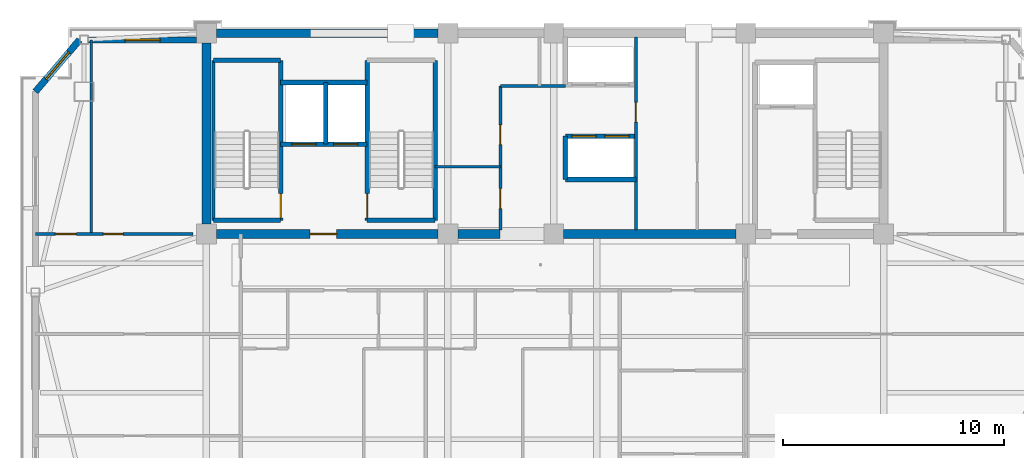
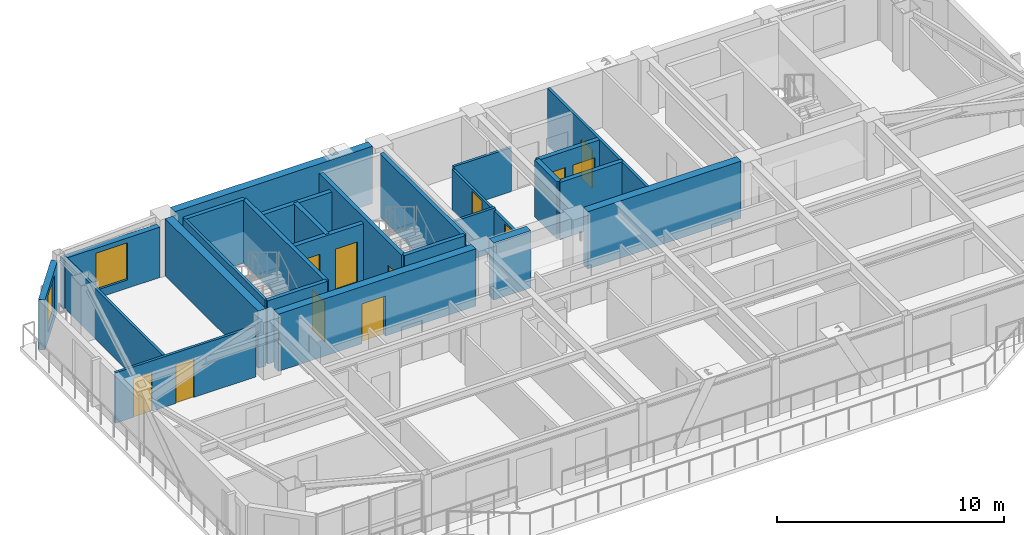
# One storey, part 7 of 13: 26 walls, 12 doors, 2 windows, 14 openings.
"""IFC4 building model written with IfcOpenShell, lengths in metres."""

from ifc_helpers import new_model, si_unit, direction, frame, frame_2d, origin, place, context, subcontext, project, spatial, rectangle, extrude, source, transform, mapped, material, layer, layer_set, type_object, element, fill, save


model = new_model("IFC4")

# Units and contexts
model_context = context("Model", 3, precision=1e-05, world=origin(), true_north=direction((0.0, 1.0)))
body_context = subcontext(model_context, "Body", "Model", "MODEL_VIEW")
ifc_project = project(units=[si_unit("LENGTHUNIT", "METRE"), si_unit("AREAUNIT", "SQUARE_METRE"), si_unit("VOLUMEUNIT", "CUBIC_METRE"), si_unit("PLANEANGLEUNIT", "RADIAN"), si_unit("MASSUNIT", "GRAM", prefix="KILO")], contexts=[model_context])

# Site, building, storey
site_placement = place(None, origin())
site = spatial("IfcSite", under=ifc_project, at=site_placement, CompositionType="ELEMENT")
building_placement = place(site_placement, origin())
building = spatial("IfcBuilding", under=site, at=building_placement, Name="Giltprow Tower", CompositionType="ELEMENT")
storey_placement = place(building_placement, frame((0.0, 0.0, 349.300048828125)))
storey = spatial("IfcBuildingStorey", under=building, at=storey_placement, Name="L91", CompositionType="ELEMENT", Elevation=349.300048828125)

# Wall, opening, window
ifc_material_1 = material(Name="Precast concrete C40", Category="concrete")
ifc_layer_1 = layer(ifc_material_1, 0.300048828125, Name="Precast concrete C40")
ifc_layer_set_1 = layer_set([ifc_layer_1], Name="Precast concrete C40")
wall_type_1 = type_object("IfcWallType", Name="EW-NOTCH-CHAMFER-300", PredefinedType="SOLIDWALL", material=ifc_layer_set_1)
wall_1_placement = place(storey_placement, frame((14.10009765625, 46.25, 0.0), z_axis=(0.0, 0.0, 1.0), x_axis=(-0.648103010114, -0.761552682538, 0.0)))
wall_1 = element("IfcWall", 1, at=wall_1_placement, inside=storey, type_object=wall_type_1, Name="L91 Corner Notch Wall NW", PredefinedType="SOLIDWALL", context=body_context, shape_type="SweptSolid", body=[
    extrude(rectangle(XDim=3.0859375, YDim=0.300048828125, at=frame_2d((1.54296875, 0.0))), origin(), (0.0, 0.0, 1.0), 2.7099609375),
])
opening_1_placement = place(wall_1_placement, frame((0.742919921875, 0.0, 0.449951171875)))
opening_1 = element("IfcOpeningElement", 2, at=opening_1_placement, cuts=wall_1, Name="Opening WN17", PredefinedType="OPENING", context=body_context, shape_type="SweptSolid", body=[
    extrude(rectangle(XDim=1.60009765625, YDim=2.0, at=frame_2d((0.800048828125, 1.0))), frame((0.0, 0.159912109375, 0.0), z_axis=(0.0, -1.0, 0.0), x_axis=(1.0, 0.0, 0.0)), (0.0, 0.0, 1.0), 0.320068359375),
])
ifc_material_2 = material(Name="Insulated glass", Category="glass")
window_type = type_object("IfcWindowType", Name="WN-COR-1600x2000", PartitioningType="SINGLE_PANEL", PredefinedType="WINDOW", material=ifc_material_2)
shared_shape_1 = source(origin(), body_context, "Body", "SweptSolid", [
    extrude(rectangle(XDim=1.60009765625, YDim=2.0, at=frame_2d((0.800048828125, 1.0))), frame((0.0, 0.030029296875, 0.0), z_axis=(0.0, -1.0, 0.0), x_axis=(1.0, 0.0, 0.0)), (0.0, 0.0, 1.0), 0.06005859375),
])
window_1_placement = place(opening_1_placement, origin())
window_1 = element("IfcWindow", 3, at=window_1_placement, inside=storey, type_object=window_type, Name="L91 Corner Notch Window NW", OverallHeight=2.0, OverallWidth=1.60009765625, PartitioningType="SINGLE_PANEL", PredefinedType="WINDOW", context=body_context, shape_type="MappedRepresentation", body=[
    mapped(shared_shape_1, transform((0.0, 0.0, 0.0), x_axis=(1.0, 0.0, 0.0), y_axis=(0.0, 1.0, 0.0), z_axis=(0.0, 0.0, 1.0), scale=1.0)),
])
fill(opening_1, window_1)

ifc_layer_2 = layer(ifc_material_1, 0.280029296875, Name="Precast concrete C40")
ifc_layer_set_2 = layer_set([ifc_layer_2], Name="Precast concrete C40")
wall_type_2 = type_object("IfcWallType", Name="EW-TOW-BRONZE-280", PredefinedType="SOLIDWALL", material=ifc_layer_set_2)
wall_2_placement = place(storey_placement, frame((14.5, 46.25, 0.0), z_axis=(0.0, 0.0, 1.0), x_axis=(1.0, 0.0, 0.0)))
wall_2 = element("IfcWall", 4, at=wall_2_placement, inside=storey, type_object=wall_type_2, Name="L91 North-West Wing Wall", PredefinedType="SOLIDWALL", context=body_context, shape_type="SweptSolid", body=[
    extrude(rectangle(XDim=4.89990234375, YDim=0.280029296875, at=frame_2d((2.449951171875, 0.0))), origin(), (0.0, 0.0, 1.0), 2.7099609375),
])
opening_2_placement = place(wall_2_placement, frame((1.64990234375, 0.0, 0.449951171875)))
opening_2 = element("IfcOpeningElement", 5, at=opening_2_placement, cuts=wall_2, Name="Opening WN17", PredefinedType="OPENING", context=body_context, shape_type="SweptSolid", body=[
    extrude(rectangle(XDim=1.60009765625, YDim=2.0, at=frame_2d((0.800048828125, 1.0))), frame((0.0, 0.14990234375, 0.0), z_axis=(0.0, -1.0, 0.0), x_axis=(1.0, 0.0, 0.0)), (0.0, 0.0, 1.0), 0.300048828125),
])
window_2_placement = place(opening_2_placement, origin())
window_2 = element("IfcWindow", 6, at=window_2_placement, inside=storey, type_object=window_type, Name="L91 North-West Window", OverallHeight=2.0, OverallWidth=1.60009765625, PartitioningType="SINGLE_PANEL", PredefinedType="WINDOW", context=body_context, shape_type="MappedRepresentation", body=[
    mapped(shared_shape_1, transform((0.0, 0.0, 0.0), x_axis=(1.0, 0.0, 0.0), y_axis=(0.0, 1.0, 0.0), z_axis=(0.0, 0.0, 1.0), scale=1.0)),
])
fill(opening_2, window_2)

# Wall, openings, doors
ifc_material_3 = material(Name="Concrete C40", Category="concrete")
ifc_layer_3 = layer(ifc_material_3, 0.219970703125, Name="Concrete C40")
ifc_layer_set_3 = layer_set([ifc_layer_3], Name="Concrete C40")
wall_type_3 = type_object("IfcWallType", Name="IW-SHAFT-220", PredefinedType="SOLIDWALL", material=ifc_layer_set_3)
wall_3_placement = place(storey_placement, frame((23.219970703125, 41.52001953125, 0.0), z_axis=(0.0, 0.0, 1.0), x_axis=(1.0, 0.0, 0.0)))
wall_3 = element("IfcWall", 7, at=wall_3_placement, inside=storey, type_object=wall_type_3, Name="L91 FFL1 and Service Lift Front Wall", PredefinedType="SOLIDWALL", context=body_context, shape_type="SweptSolid", body=[
    extrude(rectangle(XDim=3.919921875, YDim=0.219970703125, at=frame_2d((1.9599609375, 0.0))), origin(), (0.0, 0.0, 1.0), 3.079833984375),
])
opening_3_placement = place(wall_3_placement, frame((0.5, 0.0, 0.0)))
opening_3 = element("IfcOpeningElement", 8, at=opening_3_placement, cuts=wall_3, Name="Opening LD-11", PredefinedType="OPENING", context=body_context, shape_type="SweptSolid", body=[
    extrude(rectangle(XDim=1.10009765625, YDim=2.199951171875, at=frame_2d((0.550048828125, 1.10009765625))), frame((0.0, 0.119873046875, 0.0), z_axis=(0.0, -1.0, 0.0), x_axis=(1.0, 0.0, 0.0)), (0.0, 0.0, 1.0), 0.239990234375),
])
opening_4_placement = place(wall_3_placement, frame((2.39990234375, 0.0, 0.0)))
opening_4 = element("IfcOpeningElement", 9, at=opening_4_placement, cuts=wall_3, Name="Opening LD-11", PredefinedType="OPENING", context=body_context, shape_type="SweptSolid", body=[
    extrude(rectangle(XDim=1.10009765625, YDim=2.199951171875, at=frame_2d((0.550048828125, 1.10009765625))), frame((0.0, 0.119873046875, 0.0), z_axis=(0.0, -1.0, 0.0), x_axis=(1.0, 0.0, 0.0)), (0.0, 0.0, 1.0), 0.239990234375),
])
ifc_material_4 = material(Name="Stainless steel", Category="steel")
door_type_1 = type_object("IfcDoorType", Name="DR-LIFT-LD1100", OperationType="SLIDING_TO_LEFT", PredefinedType="DOOR", material=ifc_material_4)
shared_shape_2 = source(origin(), body_context, "Body", "SweptSolid", [
    extrude(rectangle(XDim=1.10009765625, YDim=2.199951171875, at=frame_2d((0.550048828125, 1.10009765625))), frame((0.0, 0.02490234375, 0.0), z_axis=(0.0, -1.0, 0.0), x_axis=(1.0, 0.0, 0.0)), (0.0, 0.0, 1.0), 0.050048828125),
])
door_1_placement = place(opening_3_placement, origin())
door_1 = element("IfcDoor", 10, at=door_1_placement, inside=storey, type_object=door_type_1, Name="L91 FFL1 Landing Door", OperationType="SLIDING_TO_LEFT", OverallHeight=2.199951171875, OverallWidth=1.10009765625, PredefinedType="DOOR", context=body_context, shape_type="MappedRepresentation", body=[
    mapped(shared_shape_2, transform((0.0, 0.0, 0.0), x_axis=(1.0, 0.0, 0.0), y_axis=(0.0, 1.0, 0.0), z_axis=(0.0, 0.0, 1.0), scale=1.0)),
])
fill(opening_3, door_1)
door_2_placement = place(opening_4_placement, origin())
door_2 = element("IfcDoor", 11, at=door_2_placement, inside=storey, type_object=door_type_1, Name="L91 SVL1 Landing Door", OperationType="SLIDING_TO_LEFT", OverallHeight=2.199951171875, OverallWidth=1.10009765625, PredefinedType="DOOR", context=body_context, shape_type="MappedRepresentation", body=[
    mapped(shared_shape_2, transform((0.0, 0.0, 0.0), x_axis=(1.0, 0.0, 0.0), y_axis=(0.0, 1.0, 0.0), z_axis=(0.0, 0.0, 1.0), scale=1.0)),
])
fill(opening_4, door_2)

# Walls
wall_4_placement = place(storey_placement, frame((25.260009765625, 41.52001953125, 0.0), z_axis=(0.0, 0.0, 1.0), x_axis=(0.0, 1.0, 0.0)))
element("IfcWall", 12, at=wall_4_placement, inside=storey, type_object=wall_type_3, Name="L91 FFL1-SVL1 Shaft Divider", PredefinedType="SOLIDWALL", context=body_context, shape_type="SweptSolid", body=[
    extrude(rectangle(XDim=2.800048828125, YDim=0.219970703125, at=frame_2d((1.39990234375, 0.0))), origin(), (0.0, 0.0, 1.0), 3.079833984375),
])
wall_5_placement = place(storey_placement, frame((23.219970703125, 44.320068359375, 0.0), z_axis=(0.0, 0.0, 1.0), x_axis=(1.0, 0.0, 0.0)))
element("IfcWall", 13, at=wall_5_placement, inside=storey, type_object=wall_type_3, Name="L91 FFL1-SVL1 Back Shaft Wall", PredefinedType="SOLIDWALL", context=body_context, shape_type="SweptSolid", body=[
    extrude(rectangle(XDim=3.919921875, YDim=0.219970703125, at=frame_2d((1.9599609375, 0.0))), origin(), (0.0, 0.0, 1.0), 3.079833984375),
])

# Wall, openings, doors
wall_6_placement = place(storey_placement, frame((36.1201171875, 41.8798828125, 0.0), z_axis=(0.0, 0.0, 1.0), x_axis=(1.0, 0.0, 0.0)))
wall_6 = element("IfcWall", 14, at=wall_6_placement, inside=storey, type_object=wall_type_3, Name="L91 High-Rise Lift Shaft Front Wall S", PredefinedType="SOLIDWALL", context=body_context, shape_type="SweptSolid", body=[
    extrude(rectangle(XDim=3.199951171875, YDim=0.219970703125, at=frame_2d((1.60009765625, 0.0))), origin(), (0.0, 0.0, 1.0), 3.079833984375),
])
opening_5_placement = place(wall_6_placement, frame((0.300048828125, 0.0, 0.0)))
opening_5 = element("IfcOpeningElement", 15, at=opening_5_placement, cuts=wall_6, Name="Opening LD-11", PredefinedType="OPENING", context=body_context, shape_type="SweptSolid", body=[
    extrude(rectangle(XDim=1.10009765625, YDim=2.199951171875, at=frame_2d((0.550048828125, 1.10009765625))), frame((0.0, 0.119873046875, 0.0), z_axis=(0.0, -1.0, 0.0), x_axis=(1.0, 0.0, 0.0)), (0.0, 0.0, 1.0), 0.239990234375),
])
opening_6_placement = place(wall_6_placement, frame((1.7900390625, 0.0, 0.0)))
opening_6 = element("IfcOpeningElement", 16, at=opening_6_placement, cuts=wall_6, Name="Opening LD-11", PredefinedType="OPENING", context=body_context, shape_type="SweptSolid", body=[
    extrude(rectangle(XDim=1.10009765625, YDim=2.199951171875, at=frame_2d((0.550048828125, 1.10009765625))), frame((0.0, 0.119873046875, 0.0), z_axis=(0.0, -1.0, 0.0), x_axis=(1.0, 0.0, 0.0)), (0.0, 0.0, 1.0), 0.239990234375),
])
door_3_placement = place(opening_5_placement, origin())
door_3 = element("IfcDoor", 17, at=door_3_placement, inside=storey, type_object=door_type_1, Name="L91 PL-H3 Landing Door", OperationType="SLIDING_TO_LEFT", OverallHeight=2.199951171875, OverallWidth=1.10009765625, PredefinedType="DOOR", context=body_context, shape_type="MappedRepresentation", body=[
    mapped(shared_shape_2, transform((0.0, 0.0, 0.0), x_axis=(1.0, 0.0, 0.0), y_axis=(0.0, 1.0, 0.0), z_axis=(0.0, 0.0, 1.0), scale=1.0)),
])
fill(opening_5, door_3)
door_4_placement = place(opening_6_placement, origin())
door_4 = element("IfcDoor", 18, at=door_4_placement, inside=storey, type_object=door_type_1, Name="L91 PL-H4 Landing Door", OperationType="SLIDING_TO_LEFT", OverallHeight=2.199951171875, OverallWidth=1.10009765625, PredefinedType="DOOR", context=body_context, shape_type="MappedRepresentation", body=[
    mapped(shared_shape_2, transform((0.0, 0.0, 0.0), x_axis=(1.0, 0.0, 0.0), y_axis=(0.0, 1.0, 0.0), z_axis=(0.0, 0.0, 1.0), scale=1.0)),
])
fill(opening_6, door_4)

# Walls
wall_7_placement = place(storey_placement, frame((36.1201171875, 39.919921875, 0.0), z_axis=(0.0, 0.0, 1.0), x_axis=(1.0, 0.0, 0.0)))
element("IfcWall", 19, at=wall_7_placement, inside=storey, type_object=wall_type_3, Name="L91 High-Rise South Lift Back Wall", PredefinedType="SOLIDWALL", context=body_context, shape_type="SweptSolid", body=[
    extrude(rectangle(XDim=3.199951171875, YDim=0.219970703125, at=frame_2d((1.60009765625, 0.0))), origin(), (0.0, 0.0, 1.0), 3.079833984375),
])
wall_8_placement = place(storey_placement, frame((36.1201171875, 39.919921875, 0.0), z_axis=(0.0, 0.0, 1.0), x_axis=(0.0, 1.0, 0.0)))
element("IfcWall", 20, at=wall_8_placement, inside=storey, type_object=wall_type_3, Name="L91 High-Rise South Lift West Closure", PredefinedType="SOLIDWALL", context=body_context, shape_type="SweptSolid", body=[
    extrude(rectangle(XDim=1.9599609375, YDim=0.219970703125, at=frame_2d((0.97998046875, 0.0))), origin(), (0.0, 0.0, 1.0), 3.079833984375),
])
ifc_material_5 = material(Name="Concrete C45", Category="concrete")
ifc_layer_4 = layer(ifc_material_5, 0.139892578125, Name="Concrete C45")
ifc_layer_set_4 = layer_set([ifc_layer_4], Name="Concrete C45")
wall_type_4 = type_object("IfcWallType", Name="IW-STAIR-140", PredefinedType="SOLIDWALL", material=ifc_layer_set_4)
wall_9_placement = place(storey_placement, frame((20.169921875, 38.070068359375, 0.0), z_axis=(0.0, 0.0, 1.0), x_axis=(0.0, 1.0, 0.0)))
element("IfcWall", 21, at=wall_9_placement, inside=storey, type_object=wall_type_4, Name="L91 Stair ST-1 West Bearing Wall", PredefinedType="SOLIDWALL", context=body_context, shape_type="SweptSolid", body=[
    extrude(rectangle(XDim=7.25, YDim=0.139892578125, at=frame_2d((3.625, 0.0))), origin(), (0.0, 0.0, 1.0), 3.39990234375),
])

# Wall, opening, door
ifc_layer_5 = layer(ifc_material_3, 0.199951171875, Name="Concrete C40")
ifc_layer_set_5 = layer_set([ifc_layer_5], Name="Concrete C40")
wall_type_5 = type_object("IfcWallType", Name="IW-STAIR-200", PredefinedType="SOLIDWALL", material=ifc_layer_set_5)
wall_10_placement = place(storey_placement, frame((23.219970703125, 38.070068359375, 0.0), z_axis=(0.0, 0.0, 1.0), x_axis=(0.0, 1.0, 0.0)))
wall_10 = element("IfcWall", 22, at=wall_10_placement, inside=storey, type_object=wall_type_5, Name="L91 Stair ST-1 East Bearing Wall", PredefinedType="SOLIDWALL", context=body_context, shape_type="SweptSolid", body=[
    extrude(rectangle(XDim=7.25, YDim=0.199951171875, at=frame_2d((3.625, 0.0))), origin(), (0.0, 0.0, 1.0), 3.39990234375),
])
opening_7_placement = place(wall_10_placement, frame((0.110107421875, 0.0, 0.0)))
opening_7 = element("IfcOpeningElement", 23, at=opening_7_placement, cuts=wall_10, Name="Opening ID33", PredefinedType="OPENING", context=body_context, shape_type="SweptSolid", body=[
    extrude(rectangle(XDim=1.10009765625, YDim=2.14990234375, at=frame_2d((0.550048828125, 1.074951171875))), frame((0.0, 0.10986328125, 0.0), z_axis=(0.0, -1.0, 0.0), x_axis=(1.0, 0.0, 0.0)), (0.0, 0.0, 1.0), 0.219970703125),
])
ifc_material_6 = material(Name="Steel fire leaf", Category="steel")
door_type_2 = type_object("IfcDoorType", Name="DR-STAIR-1100", OperationType="SINGLE_SWING_LEFT", PredefinedType="DOOR", material=ifc_material_6)
shared_shape_3 = source(origin(), body_context, "Body", "SweptSolid", [
    extrude(rectangle(XDim=1.10009765625, YDim=2.14990234375, at=frame_2d((0.550048828125, 1.074951171875))), frame((0.0, 0.02490234375, 0.0), z_axis=(0.0, -1.0, 0.0), x_axis=(1.0, 0.0, 0.0)), (0.0, 0.0, 1.0), 0.050048828125),
])
door_5_placement = place(opening_7_placement, origin())
door_5 = element("IfcDoor", 24, at=door_5_placement, inside=storey, type_object=door_type_2, Name="L91 Stair ST-1 Fire Door", OperationType="SINGLE_SWING_LEFT", OverallHeight=2.14990234375, OverallWidth=1.10009765625, PredefinedType="DOOR", context=body_context, shape_type="MappedRepresentation", body=[
    mapped(shared_shape_3, transform((0.0, 0.0, 0.0), x_axis=(1.0, 0.0, 0.0), y_axis=(0.0, 1.0, 0.0), z_axis=(0.0, 0.0, 1.0), scale=1.0)),
])
fill(opening_7, door_5)

# Walls
for number, where, z_axis, x_axis, name in (
    (25, (20.169921875, 45.320068359375, 0.0), (0.0, 0.0, 1.0), (1.0, 0.0, 0.0), "L91 Stair ST-1 North Bearing Wall"),
    (26, (20.169921875, 38.070068359375, 0.0), (0.0, 0.0, 1.0), (1.0, 0.0, 0.0), "L91 Stair ST-1 South Bearing Wall"),
):
    element("IfcWall", number, at=place(storey_placement, frame(where, z_axis=z_axis, x_axis=x_axis)), inside=storey, type_object=wall_type_5, Name=name, PredefinedType="SOLIDWALL", context=body_context, shape_type="SweptSolid", body=[
        extrude(rectangle(XDim=3.050048828125, YDim=0.199951171875, at=frame_2d((1.52490234375, 0.0))), origin(), (0.0, 0.0, 1.0), 3.39990234375),
    ])

# Wall, opening, door
wall_11_placement = place(storey_placement, frame((27.139892578125, 38.070068359375, 0.0), z_axis=(0.0, 0.0, 1.0), x_axis=(0.0, 1.0, 0.0)))
wall_11 = element("IfcWall", 27, at=wall_11_placement, inside=storey, type_object=wall_type_5, Name="L91 Stair ST-2 West Bearing Wall", PredefinedType="SOLIDWALL", context=body_context, shape_type="SweptSolid", body=[
    extrude(rectangle(XDim=7.25, YDim=0.199951171875, at=frame_2d((3.625, 0.0))), origin(), (0.0, 0.0, 1.0), 3.39990234375),
])
opening_8_placement = place(wall_11_placement, frame((0.110107421875, 0.0, 0.0)))
opening_8 = element("IfcOpeningElement", 28, at=opening_8_placement, cuts=wall_11, Name="Opening ID33", PredefinedType="OPENING", context=body_context, shape_type="SweptSolid", body=[
    extrude(rectangle(XDim=1.10009765625, YDim=2.14990234375, at=frame_2d((0.550048828125, 1.074951171875))), frame((0.0, 0.10986328125, 0.0), z_axis=(0.0, -1.0, 0.0), x_axis=(1.0, 0.0, 0.0)), (0.0, 0.0, 1.0), 0.219970703125),
])
door_6_placement = place(opening_8_placement, origin())
door_6 = element("IfcDoor", 29, at=door_6_placement, inside=storey, type_object=door_type_2, Name="L91 Stair ST-2 Fire Door", OperationType="SINGLE_SWING_RIGHT", OverallHeight=2.14990234375, OverallWidth=1.10009765625, PredefinedType="DOOR", context=body_context, shape_type="MappedRepresentation", body=[
    mapped(shared_shape_3, transform((0.0, 0.0, 0.0), x_axis=(1.0, 0.0, 0.0), y_axis=(0.0, 1.0, 0.0), z_axis=(0.0, 0.0, 1.0), scale=1.0)),
])
fill(opening_8, door_6)

# Walls
wall_12_placement = place(storey_placement, frame((30.219970703125, 38.070068359375, 0.0), z_axis=(0.0, 0.0, 1.0), x_axis=(0.0, 1.0, 0.0)))
element("IfcWall", 30, at=wall_12_placement, inside=storey, type_object=wall_type_5, Name="L91 Stair ST-2 East Bearing Wall", PredefinedType="SOLIDWALL", context=body_context, shape_type="SweptSolid", body=[
    extrude(rectangle(XDim=7.25, YDim=0.199951171875, at=frame_2d((3.625, 0.0))), origin(), (0.0, 0.0, 1.0), 3.39990234375),
])
wall_13_placement = place(storey_placement, frame((27.139892578125, 38.070068359375, 0.0), z_axis=(0.0, 0.0, 1.0), x_axis=(1.0, 0.0, 0.0)))
element("IfcWall", 31, at=wall_13_placement, inside=storey, type_object=wall_type_5, Name="L91 Stair ST-2 South Bearing Wall", PredefinedType="SOLIDWALL", context=body_context, shape_type="SweptSolid", body=[
    extrude(rectangle(XDim=3.080078125, YDim=0.199951171875, at=frame_2d((1.5400390625, 0.0))), origin(), (0.0, 0.0, 1.0), 3.39990234375),
])

# Wall, openings, doors
ifc_material_7 = material(Name="Concrete C30", Category="concrete")
ifc_layer_6 = layer(ifc_material_7, 0.1298828125, Name="Concrete C30")
ifc_layer_set_6 = layer_set([ifc_layer_6], Name="Concrete C30")
wall_type_6 = type_object("IfcWallType", Name="IW-WET-130", PredefinedType="PARTITIONING", material=ifc_layer_set_6)
wall_14_placement = place(storey_placement, frame((33.179931640625, 37.6298828125, 0.0), z_axis=(0.0, 0.0, 1.0), x_axis=(0.0, 1.0, 0.0)))
wall_14 = element("IfcWall", 32, at=wall_14_placement, inside=storey, type_object=wall_type_6, Name="L91 Reclaimed West Core Wall", PredefinedType="PARTITIONING", context=body_context, shape_type="SweptSolid", body=[
    extrude(rectangle(XDim=6.52001953125, YDim=0.1298828125, at=frame_2d((3.260009765625, 0.0))), origin(), (0.0, 0.0, 1.0), 2.219970703125),
])
opening_9_placement = place(wall_14_placement, frame((0.969970703125, 0.0, 0.0)))
opening_9 = element("IfcOpeningElement", 33, at=opening_9_placement, cuts=wall_14, Name="Opening ID35", PredefinedType="OPENING", context=body_context, shape_type="SweptSolid", body=[
    extrude(rectangle(XDim=0.89990234375, YDim=2.10009765625, at=frame_2d((0.449951171875, 1.050048828125))), frame((0.0, 0.074951171875, 0.0), z_axis=(0.0, -1.0, 0.0), x_axis=(1.0, 0.0, 0.0)), (0.0, 0.0, 1.0), 0.14990234375),
])
opening_10_placement = place(wall_14_placement, frame((3.8701171875, 0.0, 0.0)))
opening_10 = element("IfcOpeningElement", 34, at=opening_10_placement, cuts=wall_14, Name="Opening ID35", PredefinedType="OPENING", context=body_context, shape_type="SweptSolid", body=[
    extrude(rectangle(XDim=0.89990234375, YDim=2.10009765625, at=frame_2d((0.449951171875, 1.050048828125))), frame((0.0, 0.074951171875, 0.0), z_axis=(0.0, -1.0, 0.0), x_axis=(1.0, 0.0, 0.0)), (0.0, 0.0, 1.0), 0.14990234375),
])
door_type_3 = type_object("IfcDoorType", Name="DR-SHAFT-900", OperationType="SINGLE_SWING_LEFT", PredefinedType="DOOR", material=ifc_material_6)
shared_shape_4 = source(origin(), body_context, "Body", "SweptSolid", [
    extrude(rectangle(XDim=0.89990234375, YDim=2.10009765625, at=frame_2d((0.449951171875, 1.050048828125))), frame((0.0, 0.02490234375, 0.0), z_axis=(0.0, -1.0, 0.0), x_axis=(1.0, 0.0, 0.0)), (0.0, 0.0, 1.0), 0.050048828125),
])
door_7_placement = place(opening_9_placement, origin())
door_7 = element("IfcDoor", 35, at=door_7_placement, inside=storey, type_object=door_type_3, Name="L91 Core Powder WC Door", OperationType="SINGLE_SWING_RIGHT", OverallHeight=2.10009765625, OverallWidth=0.89990234375, PredefinedType="DOOR", context=body_context, shape_type="MappedRepresentation", body=[
    mapped(shared_shape_4, transform((0.0, 0.0, 0.0), x_axis=(1.0, 0.0, 0.0), y_axis=(0.0, 1.0, 0.0), z_axis=(0.0, 0.0, 1.0), scale=1.0)),
])
fill(opening_9, door_7)
door_8_placement = place(opening_10_placement, origin())
door_8 = element("IfcDoor", 36, at=door_8_placement, inside=storey, type_object=door_type_3, Name="L91 Core Sommelier Pantry Door", OperationType="SINGLE_SWING_LEFT", OverallHeight=2.10009765625, OverallWidth=0.89990234375, PredefinedType="DOOR", context=body_context, shape_type="MappedRepresentation", body=[
    mapped(shared_shape_4, transform((0.0, 0.0, 0.0), x_axis=(1.0, 0.0, 0.0), y_axis=(0.0, 1.0, 0.0), z_axis=(0.0, 0.0, 1.0), scale=1.0)),
])
fill(opening_10, door_8)

# Wall
wall_15_placement = place(storey_placement, frame((33.179931640625, 44.14990234375, 0.0), z_axis=(0.0, 0.0, 1.0), x_axis=(1.0, 0.0, 0.0)))
element("IfcWall", 37, at=wall_15_placement, inside=storey, type_object=wall_type_6, Name="L91 Reclaimed West Pocket Wall S", PredefinedType="PARTITIONING", context=body_context, shape_type="SweptSolid", body=[
    extrude(rectangle(XDim=2.940185546875, YDim=0.1298828125, at=frame_2d((1.47021484375, 0.0))), origin(), (0.0, 0.0, 1.0), 2.364990234375),
])

# Wall, opening, door
wall_16_placement = place(storey_placement, frame((39.320068359375, 37.6298828125, 0.0), z_axis=(0.0, 0.0, 1.0), x_axis=(0.0, 1.0, 0.0)))
wall_16 = element("IfcWall", 38, at=wall_16_placement, inside=storey, type_object=wall_type_6, Name="L91 Reclaimed East Core Wall", PredefinedType="PARTITIONING", context=body_context, shape_type="SweptSolid", body=[
    extrude(rectangle(XDim=8.740234375, YDim=0.1298828125, at=frame_2d((4.3701171875, 0.0))), origin(), (0.0, 0.0, 1.0), 3.079833984375),
])
opening_11_placement = place(wall_16_placement, frame((4.889892578125, 0.0, 0.0)))
opening_11 = element("IfcOpeningElement", 39, at=opening_11_placement, cuts=wall_16, Name="Opening ID35", PredefinedType="OPENING", context=body_context, shape_type="SweptSolid", body=[
    extrude(rectangle(XDim=0.89990234375, YDim=2.10009765625, at=frame_2d((0.449951171875, 1.050048828125))), frame((0.0, 0.074951171875, 0.0), z_axis=(0.0, -1.0, 0.0), x_axis=(1.0, 0.0, 0.0)), (0.0, 0.0, 1.0), 0.14990234375),
])
door_9_placement = place(opening_11_placement, origin())
door_9 = element("IfcDoor", 40, at=door_9_placement, inside=storey, type_object=door_type_3, Name="L91 Core Housekeeping Vestibule Door", OperationType="SINGLE_SWING_RIGHT", OverallHeight=2.10009765625, OverallWidth=0.89990234375, PredefinedType="DOOR", context=body_context, shape_type="MappedRepresentation", body=[
    mapped(shared_shape_4, transform((0.0, 0.0, 0.0), x_axis=(1.0, 0.0, 0.0), y_axis=(0.0, 1.0, 0.0), z_axis=(0.0, 0.0, 1.0), scale=1.0)),
])
fill(opening_11, door_9)

# Wall
wall_17_placement = place(storey_placement, frame((30.219970703125, 40.5, 0.0), z_axis=(0.0, 0.0, 1.0), x_axis=(1.0, 0.0, 0.0)))
element("IfcWall", 41, at=wall_17_placement, inside=storey, type_object=wall_type_6, Name="L91 West Core Split 2", PredefinedType="PARTITIONING", context=body_context, shape_type="SweptSolid", body=[
    extrude(rectangle(XDim=2.9599609375, YDim=0.1298828125, at=frame_2d((1.47998046875, 0.0))), origin(), (0.0, 0.0, 1.0), 2.364990234375),
])

# Wall, openings, doors
wall_18_placement = place(storey_placement, frame((12.10009765625, 37.449951171875, 0.0), z_axis=(0.0, 0.0, 1.0), x_axis=(1.0, 0.0, 0.0)))
wall_18 = element("IfcWall", 42, at=wall_18_placement, inside=storey, type_object=wall_type_6, Name="L91 NW Wing South Wall", PredefinedType="PARTITIONING", context=body_context, shape_type="SweptSolid", body=[
    extrude(rectangle(XDim=7.14990234375, YDim=0.1298828125, at=frame_2d((3.574951171875, 0.0))), origin(), (0.0, 0.0, 1.0), 2.71484375),
])
opening_12_placement = place(wall_18_placement, frame((0.89990234375, 0.0, 0.0)))
opening_12 = element("IfcOpeningElement", 43, at=opening_12_placement, cuts=wall_18, Name="Opening ID11", PredefinedType="OPENING", context=body_context, shape_type="SweptSolid", body=[
    extrude(rectangle(XDim=0.949951171875, YDim=2.10009765625, at=frame_2d((0.47509765625, 1.050048828125))), frame((0.0, 0.074951171875, 0.0), z_axis=(0.0, -1.0, 0.0), x_axis=(1.0, 0.0, 0.0)), (0.0, 0.0, 1.0), 0.14990234375),
])
opening_13_placement = place(wall_18_placement, frame((3.0791015625, 0.0, 0.0)))
opening_13 = element("IfcOpeningElement", 44, at=opening_13_placement, cuts=wall_18, Name="Opening ID15", PredefinedType="OPENING", context=body_context, shape_type="SweptSolid", body=[
    extrude(rectangle(XDim=0.89990234375, YDim=2.10009765625, at=frame_2d((0.449951171875, 1.050048828125))), frame((0.0, 0.074951171875, 0.0), z_axis=(0.0, -1.0, 0.0), x_axis=(1.0, 0.0, 0.0)), (0.0, 0.0, 1.0), 0.14990234375),
])
ifc_material_8 = material(Name="Engineered timber", Category="wood")
door_type_4 = type_object("IfcDoorType", Name="DR-WC-900", OperationType="SINGLE_SWING_LEFT", PredefinedType="DOOR", material=ifc_material_8)
door_10_placement = place(opening_13_placement, origin())
door_10 = element("IfcDoor", 45, at=door_10_placement, inside=storey, type_object=door_type_4, Name="L91 NW Washroom Door", OperationType="SINGLE_SWING_RIGHT", OverallHeight=2.10009765625, OverallWidth=0.89990234375, PredefinedType="DOOR", context=body_context, shape_type="MappedRepresentation", body=[
    mapped(shared_shape_4, transform((0.0, 0.0, 0.0), x_axis=(1.0, 0.0, 0.0), y_axis=(0.0, 1.0, 0.0), z_axis=(0.0, 0.0, 1.0), scale=1.0)),
])
fill(opening_13, door_10)
door_type_5 = type_object("IfcDoorType", Name="DR-ROOM-950", OperationType="SINGLE_SWING_RIGHT", PredefinedType="DOOR", material=ifc_material_8)
shared_shape_5 = source(origin(), body_context, "Body", "SweptSolid", [
    extrude(rectangle(XDim=0.949951171875, YDim=2.10009765625, at=frame_2d((0.47509765625, 1.050048828125))), frame((0.0, 0.02490234375, 0.0), z_axis=(0.0, -1.0, 0.0), x_axis=(1.0, 0.0, 0.0)), (0.0, 0.0, 1.0), 0.050048828125),
])
door_11_placement = place(opening_12_placement, origin())
door_11 = element("IfcDoor", 46, at=door_11_placement, inside=storey, type_object=door_type_5, Name="L91 Residents Study Office West Door", OperationType="SINGLE_SWING_LEFT", OverallHeight=2.10009765625, OverallWidth=0.949951171875, PredefinedType="DOOR", context=body_context, shape_type="MappedRepresentation", body=[
    mapped(shared_shape_5, transform((0.0, 0.0, 0.0), x_axis=(1.0, 0.0, 0.0), y_axis=(0.0, 1.0, 0.0), z_axis=(0.0, 0.0, 1.0), scale=1.0)),
])
fill(opening_12, door_11)

# Walls
wall_19_placement = place(storey_placement, frame((14.62890625, 37.449951171875, 0.0), z_axis=(0.0, 0.0, 1.0), x_axis=(0.0, 1.0, 0.0)))
element("IfcWall", 47, at=wall_19_placement, inside=storey, type_object=wall_type_6, Name="L91 NW Wing Divider", PredefinedType="PARTITIONING", context=body_context, shape_type="SweptSolid", body=[
    extrude(rectangle(XDim=8.800048828125, YDim=0.1298828125, at=frame_2d((4.39990234375, 0.0))), origin(), (0.0, 0.0, 1.0), 2.71484375),
])
ifc_layer_7 = layer(ifc_material_5, 0.39990234375, Name="Concrete C45")
ifc_layer_set_7 = layer_set([ifc_layer_7], Name="Concrete C45")
wall_type_7 = type_object("IfcWallType", Name="SW-EXT-400-C45", PredefinedType="SHEAR", material=ifc_layer_set_7)
wall_20_placement = place(storey_placement, frame((20.300048828125, 46.550048828125, 0.0), z_axis=(0.0, 0.0, 1.0), x_axis=(1.0, 0.0, 0.0)))
element("IfcWall", 48, at=wall_20_placement, inside=storey, type_object=wall_type_7, Name="L91 North Rear Core Shear Wall 1", PredefinedType="SHEAR", context=body_context, shape_type="SweptSolid", body=[
    extrude(rectangle(XDim=10.050048828125, YDim=0.39990234375, at=frame_2d((5.02490234375, 0.0))), origin(), (0.0, 0.0, 1.0), 3.079833984375),
])

# Wall, opening, door
ifc_layer_8 = layer(ifc_material_5, 0.39990234375, Name="Concrete C45")
ifc_layer_set_8 = layer_set([ifc_layer_8], Name="Concrete C45")
wall_type_8 = type_object("IfcWallType", Name="SW-INT-400-C45", PredefinedType="SHEAR", material=ifc_layer_set_8)
wall_21_placement = place(storey_placement, frame((20.300048828125, 37.449951171875, 0.0), z_axis=(0.0, 0.0, 1.0), x_axis=(1.0, 0.0, 0.0)))
wall_21 = element("IfcWall", 49, at=wall_21_placement, inside=storey, type_object=wall_type_8, Name="L91 South Rear Core Shear Wall West", PredefinedType="SHEAR", context=body_context, shape_type="SweptSolid", body=[
    extrude(rectangle(XDim=10.050048828125, YDim=0.39990234375, at=frame_2d((5.02490234375, 0.0))), origin(), (0.0, 0.0, 1.0), 3.079833984375),
])
opening_14_placement = place(wall_21_placement, frame((4.25, 0.0, 0.0)))
opening_14 = element("IfcOpeningElement", 50, at=opening_14_placement, cuts=wall_21, Name="Opening ID19", PredefinedType="OPENING", context=body_context, shape_type="SweptSolid", body=[
    extrude(rectangle(XDim=1.199951171875, YDim=2.14990234375, at=frame_2d((0.60009765625, 1.074951171875))), frame((0.0, 0.2099609375, 0.0), z_axis=(0.0, -1.0, 0.0), x_axis=(1.0, 0.0, 0.0)), (0.0, 0.0, 1.0), 0.419921875),
])
door_type_6 = type_object("IfcDoorType", Name="DR-FFLOBBY-1200", OperationType="SINGLE_SWING_RIGHT", PredefinedType="DOOR", material=ifc_material_6)
shared_shape_6 = source(origin(), body_context, "Body", "SweptSolid", [
    extrude(rectangle(XDim=1.199951171875, YDim=2.14990234375, at=frame_2d((0.60009765625, 1.074951171875))), frame((0.0, 0.02490234375, 0.0), z_axis=(0.0, -1.0, 0.0), x_axis=(1.0, 0.0, 0.0)), (0.0, 0.0, 1.0), 0.050048828125),
])
door_12_placement = place(opening_14_placement, origin())
door_12 = element("IfcDoor", 51, at=door_12_placement, inside=storey, type_object=door_type_6, Name="L91 West Firefighting Lobby Entry Door", OperationType="SINGLE_SWING_RIGHT", OverallHeight=2.14990234375, OverallWidth=1.199951171875, PredefinedType="DOOR", context=body_context, shape_type="MappedRepresentation", body=[
    mapped(shared_shape_6, transform((0.0, 0.0, 0.0), x_axis=(1.0, 0.0, 0.0), y_axis=(0.0, 1.0, 0.0), z_axis=(0.0, 0.0, 1.0), scale=1.0)),
])
fill(opening_14, door_12)

# Walls
wall_22_placement = place(storey_placement, frame((31.25, 37.449951171875, 0.0), z_axis=(0.0, 0.0, 1.0), x_axis=(1.0, 0.0, 0.0)))
element("IfcWall", 52, at=wall_22_placement, inside=storey, type_object=wall_type_8, Name="L91 South Rear Core Shear Wall Mid-West", PredefinedType="SHEAR", context=body_context, shape_type="SweptSolid", body=[
    extrude(rectangle(XDim=1.89990234375, YDim=0.39990234375, at=frame_2d((0.949951171875, 0.0))), origin(), (0.0, 0.0, 1.0), 3.079833984375),
])
wall_23_placement = place(storey_placement, frame((36.050048828125, 37.449951171875, 0.0), z_axis=(0.0, 0.0, 1.0), x_axis=(1.0, 0.0, 0.0)))
element("IfcWall", 53, at=wall_23_placement, inside=storey, type_object=wall_type_8, Name="L91 South Rear Core Shear Wall Mid-East", PredefinedType="SHEAR", context=body_context, shape_type="SweptSolid", body=[
    extrude(rectangle(XDim=7.800048828125, YDim=0.39990234375, at=frame_2d((3.89990234375, 0.0))), origin(), (0.0, 0.0, 1.0), 3.079833984375),
])
wall_24_placement = place(storey_placement, frame((19.85009765625, 37.89990234375, 0.0), z_axis=(0.0, 0.0, 1.0), x_axis=(0.0, 1.0, 0.0)))
element("IfcWall", 54, at=wall_24_placement, inside=storey, type_object=wall_type_8, Name="L91 W Rear Core Shear Wall", PredefinedType="SHEAR", context=body_context, shape_type="SweptSolid", body=[
    extrude(rectangle(XDim=8.2001953125, YDim=0.39990234375, at=frame_2d((4.10009765625, 0.0))), origin(), (0.0, 0.0, 1.0), 3.079833984375),
])

save(model, "model.ifc")
